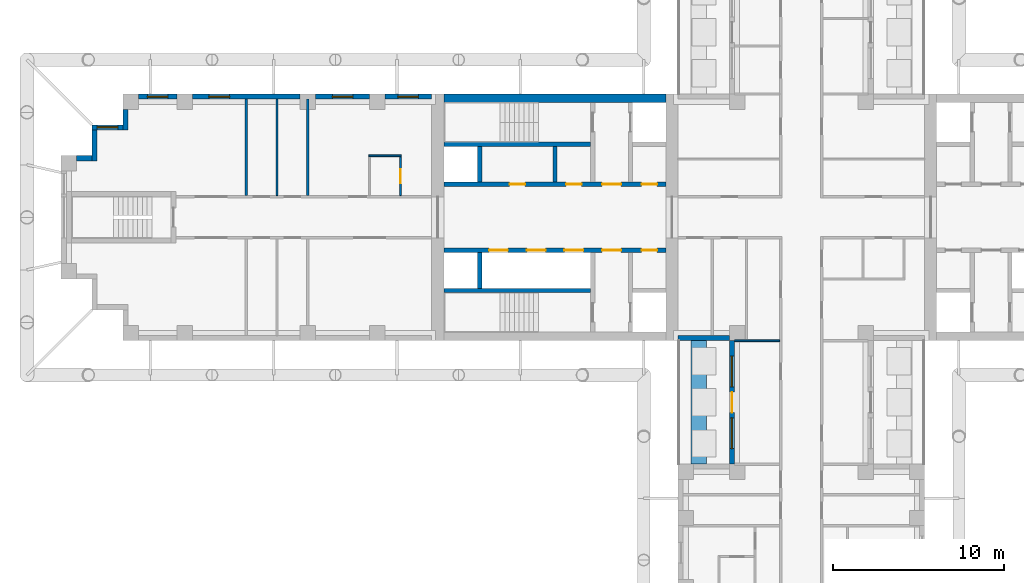
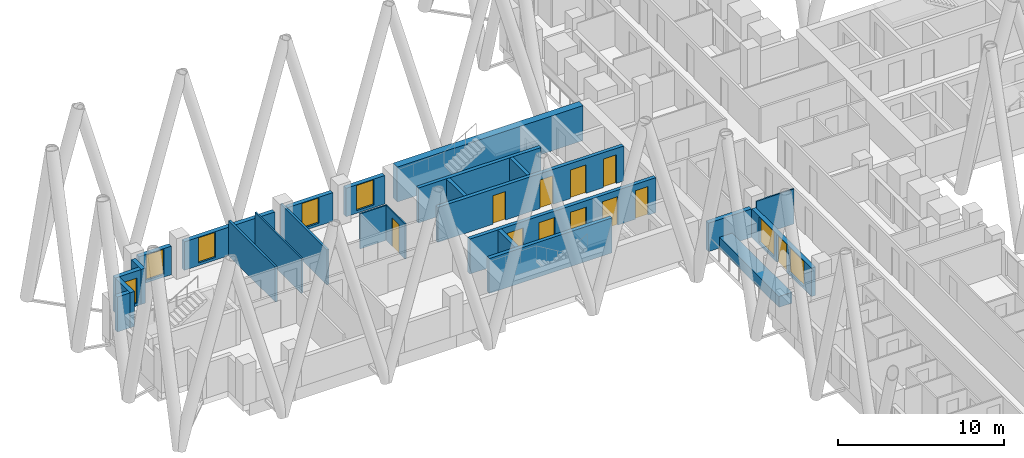
# One storey, part 6 of 14: 25 walls, 11 doors, 7 windows, 18 openings.
"""IFC4 building model written with IfcOpenShell, lengths in metres."""

import ifcopenshell
import ifcopenshell.guid

model = None  # the IFC model being written
_history = None  # IfcOwnerHistory: only IFC2X3 demands one
_inside = {}  # id of a spatial element -> (the spatial element, [elements in it])
_under = {}  # id of a project, library or spatial element -> (it, [spatial elements below it])
_declared = {}  # id of a project -> (the project, [libraries it declares])
_typed = {}  # id of a type object -> (the type object, [elements of that type])
_made_of = {}  # id of a material, layer set ... -> (it, [elements and type objects made of it])


def new_model(schema):
    """Start an empty IFC model of exactly this schema.

    Asked for "IFC4X3", IfcOpenShell would pick the latest addendum, in which some entities
    have other attributes; the version numbers below select the first issue.
    IFC2X3 requires an IfcOwnerHistory on every rooted entity: one is made here for all.
    """
    global model, _history
    if schema == "IFC4X3":
        model = ifcopenshell.file(schema_version=(4, 3, 0, 0))
    else:
        model = ifcopenshell.file(schema=schema)
    _inside.clear()
    _under.clear()
    _declared.clear()
    _typed.clear()
    _made_of.clear()
    _history = None
    if model.schema == "IFC2X3":
        org = make("IfcOrganization", Name="unknown")
        user = make(
            "IfcPersonAndOrganization",
            ThePerson=make("IfcPerson", FamilyName="unknown"),
            TheOrganization=org,
        )
        app = make(
            "IfcApplication",
            ApplicationDeveloper=org,
            Version="unknown",
            ApplicationFullName="unknown",
            ApplicationIdentifier="unknown",
        )
        _history = make(
            "IfcOwnerHistory",
            OwningUser=user,
            OwningApplication=app,
            ChangeAction="ADDED",
            CreationDate=0,
        )
    return model


def make(cls, **values):
    """One entity of the class cls with the attributes given. An attribute that is None is left unset."""
    return model.create_entity(
        cls, **{name: value for name, value in values.items() if value is not None}
    )


def rooted(cls, **values):
    """An entity with a GlobalId (a new one), such as an element, a storey or a relation."""
    return make(cls, GlobalId=ifcopenshell.guid.new(), OwnerHistory=_history, **values)


def si_unit(unit_type, name, prefix=None):
    """IfcSIUnit, for example si_unit("LENGTHUNIT", "METRE", prefix="MILLI")."""
    return make("IfcSIUnit", UnitType=unit_type, Prefix=prefix, Name=name)


def assignment(units):
    """IfcUnitAssignment: the units of a project."""
    return None if units is None else make("IfcUnitAssignment", Units=units)


def point(xyz):
    """IfcCartesianPoint."""
    return None if xyz is None else make("IfcCartesianPoint", Coordinates=xyz)


def direction(xyz):
    """IfcDirection."""
    return None if xyz is None else make("IfcDirection", DirectionRatios=xyz)


def frame(location, z_axis=None, x_axis=None):
    """IfcAxis2Placement3D, a coordinate frame: its origin and axes. An axis left out is left unset."""
    return make(
        "IfcAxis2Placement3D",
        Location=point(location),
        Axis=direction(z_axis),
        RefDirection=direction(x_axis),
    )


def frame_2d(location, x_axis=None):
    """IfcAxis2Placement2D, a coordinate frame in the plane: its origin and x axis."""
    return make(
        "IfcAxis2Placement2D", Location=point(location), RefDirection=direction(x_axis)
    )


def origin():
    """The frame at (0, 0, 0) with its axes left unset."""
    return frame((0.0, 0.0, 0.0))


def place(relative_to, where):
    """IfcLocalPlacement: puts the frame where relative to a parent placement (None: the world)."""
    return make(
        "IfcLocalPlacement", PlacementRelTo=relative_to, RelativePlacement=where
    )


def context(
    kind, dimensions, precision=None, world=None, true_north=None, identifier=None
):
    """IfcGeometricRepresentationContext, for example the 3D "Model" context."""
    return make(
        "IfcGeometricRepresentationContext",
        ContextIdentifier=identifier,
        ContextType=kind,
        CoordinateSpaceDimension=dimensions,
        Precision=precision,
        WorldCoordinateSystem=world,
        TrueNorth=true_north,
    )


def subcontext(parent, identifier, kind, view, scale=None):
    """IfcGeometricRepresentationSubContext, for example "Body" below "Model"."""
    return make(
        "IfcGeometricRepresentationSubContext",
        ContextIdentifier=identifier,
        ContextType=kind,
        ParentContext=parent,
        TargetScale=scale,
        TargetView=view,
    )


def project(units=None, contexts=None):
    """IfcProject with its units and contexts."""
    return rooted(
        "IfcProject",
        Name="project",
        RepresentationContexts=contexts,
        UnitsInContext=assignment(units),
    )


def spatial(cls, under=None, at=None, **own):
    """A site, building, storey or space (cls), placed at a placement, below another one or the project."""
    s = rooted(cls, ObjectPlacement=at, **own)
    if under is not None:
        _under.setdefault(under.id(), (under, []))[1].append(s)
    return s


def profile(cls, at=None, kind="AREA", **sizes):
    """A parametric profile (cls). Its sizes go by their IFC names, for example OverallWidth=200.0."""
    return make(cls, ProfileType=kind, Position=at, **sizes)


def rectangle(**sizes):
    """IfcRectangleProfileDef."""
    return profile("IfcRectangleProfileDef", **sizes)


def extrude(swept, where, along, depth):
    """IfcExtrudedAreaSolid: the profile swept, set in the frame where, extruded along a direction by depth."""
    return make(
        "IfcExtrudedAreaSolid",
        SweptArea=swept,
        Position=where,
        ExtrudedDirection=direction(along),
        Depth=depth,
    )


def shape(context_of_items, identifier, shape_type, items):
    """IfcShapeRepresentation: the items that make up one representation, for example the "Body"."""
    return make(
        "IfcShapeRepresentation",
        ContextOfItems=context_of_items,
        RepresentationIdentifier=identifier,
        RepresentationType=shape_type,
        Items=items,
    )


def material(Name=None, Category=None):
    """IfcMaterial."""
    return make("IfcMaterial", Name=Name, Category=Category)


def layer(
    of_material, thickness, ventilated=None, Name=None, Category=None, Priority=None
):
    """IfcMaterialLayer: one layer of a wall or slab, of a material (None: an air gap)."""
    return make(
        "IfcMaterialLayer",
        Material=of_material,
        LayerThickness=thickness,
        IsVentilated=ventilated,
        Name=Name,
        Category=Category,
        Priority=Priority,
    )


def layer_set(layers, Name=None):
    """IfcMaterialLayerSet."""
    return make("IfcMaterialLayerSet", MaterialLayers=layers, LayerSetName=Name)


def made_of(thing, what):
    """Note that an element or type object is made of a material, layer set ...; save() writes the relation."""
    if what is not None:
        _made_of.setdefault(what.id(), (what, []))[1].append(thing)
    return thing


def type_object(cls, material=None, **own):
    """A type object (cls), such as IfcWallType, which elements share."""
    return made_of(rooted(cls, **own), material)


def element(
    cls,
    number,
    at=None,
    inside=None,
    cuts=None,
    type_object=None,
    material=None,
    context=None,
    identifier="Body",
    shape_type=None,
    held_by="IfcProductDefinitionShape",
    body=None,
    shapes=None,
    **own,
):
    """One element of the class cls, such as IfcWall. Its Tag is "e" and its number.

    at: its placement. inside: the storey or other place that contains it. cuts: it is an
    opening in that element (IfcRelVoidsElement). A single representation is given by context,
    identifier, shape_type and body (its items); several are given by shapes. held_by: the class
    of the entity that holds the representations. save() writes the other relations.
    """
    e = rooted(cls, Tag="e%d" % number, ObjectPlacement=at, **own)
    if body is not None:
        shapes = [shape(context, identifier, shape_type, body)]
    if shapes is not None:
        e.Representation = make(held_by, Representations=shapes)
    if inside is not None:
        _inside.setdefault(inside.id(), (inside, []))[1].append(e)
    if cuts is not None:
        rooted(
            "IfcRelVoidsElement", RelatingBuildingElement=cuts, RelatedOpeningElement=e
        )
    if type_object is not None:
        _typed.setdefault(type_object.id(), (type_object, []))[1].append(e)
    return made_of(e, material)


def fill(opening, filler):
    """IfcRelFillsElement: the door or window that sits in an opening."""
    return rooted(
        "IfcRelFillsElement",
        RelatingOpeningElement=opening,
        RelatedBuildingElement=filler,
    )


def aggregate(whole, parts):
    """IfcRelAggregates: a whole, such as a stair, and the parts it consists of."""
    return rooted("IfcRelAggregates", RelatingObject=whole, RelatedObjects=parts)


def save(model, path):
    """Write the relations noted so far, then the file.

    IfcRelAggregates (storeys below a building ...), IfcRelContainedInSpatialStructure (elements
    in a storey), IfcRelDefinesByType, IfcRelAssociatesMaterial and IfcRelDeclares: one each for
    every whole, place, type object, material and project.
    """
    for whole, parts in _under.values():
        aggregate(whole, parts)
    for where, things in _inside.values():
        rooted(
            "IfcRelContainedInSpatialStructure",
            RelatedElements=things,
            RelatingStructure=where,
        )
    for kind, things in _typed.values():
        rooted("IfcRelDefinesByType", RelatedObjects=things, RelatingType=kind)
    for what, things in _made_of.values():
        rooted("IfcRelAssociatesMaterial", RelatedObjects=things, RelatingMaterial=what)
    for by, libraries in _declared.values():
        rooted("IfcRelDeclares", RelatingContext=by, RelatedDefinitions=libraries)
    model.write(path)


model = new_model("IFC4")

# Units and contexts
model_context = context("Model", 3, precision=1e-05, world=origin(), true_north=direction((0.0, 1.0)))
body_context = subcontext(model_context, "Body", "Model", "MODEL_VIEW")
ifc_project = project(units=[si_unit("LENGTHUNIT", "METRE"), si_unit("AREAUNIT", "SQUARE_METRE"), si_unit("VOLUMEUNIT", "CUBIC_METRE"), si_unit("PLANEANGLEUNIT", "RADIAN"), si_unit("MASSUNIT", "GRAM", prefix="KILO")], contexts=[model_context])

# Site, building, storey
site_placement = place(None, origin())
site = spatial("IfcSite", under=ifc_project, at=site_placement, CompositionType="ELEMENT")
building_placement = place(site_placement, origin())
building = spatial("IfcBuilding", under=site, at=building_placement, Name="Fustian Cross Tower", CompositionType="ELEMENT")
storey_placement = place(building_placement, frame((0.0, 0.0, 102.89990234375)))
storey = spatial("IfcBuildingStorey", under=building, at=storey_placement, Name="L32", CompositionType="ELEMENT", Elevation=102.89990234375)

# Walls
ifc_material_1 = material(Name="Plasterboard on steel stud", Category="steel")
ifc_layer_1 = layer(ifc_material_1, 0.14990234375)
ifc_layer_set_1 = layer_set([ifc_layer_1], Name="Plasterboard on steel stud")
wall_type_1 = type_object("IfcWallType", Name="COMPARTMENT WALL 150 EI 60", PredefinedType="PARTITIONING", material=ifc_layer_set_1)
for number, where, z_axis, x_axis, name in (
    (1, (-32.39990234375, 1.27490234375, 0.0), (0.0, 0.0, 1.0), (0.0, 1.0, 0.0), "Partition 4"),
    (2, (-28.800048828125, 1.27490234375, 0.0), (0.0, 0.0, 1.0), (0.0, 1.0, 0.0), "Partition 8"),
):
    element("IfcWall", number, at=place(storey_placement, frame(where, z_axis=z_axis, x_axis=x_axis)), inside=storey, type_object=wall_type_1, Name=name, PredefinedType="PARTITIONING", context=body_context, shape_type="SweptSolid", body=[
        extrude(rectangle(XDim=5.625, YDim=0.14990234375, at=frame_2d((2.8125, 0.0))), origin(), (0.0, 0.0, 1.0), 2.5751953125),
    ])
ifc_material_2 = material(Name="Concrete C70/85", Category="concrete")
ifc_layer_2 = layer(ifc_material_2, 0.5)
ifc_layer_set_2 = layer_set([ifc_layer_2], Name="Concrete C70/85")
wall_type_2 = type_object("IfcWallType", Name="CORE FACADE WALL 500 C70/85", PredefinedType="SHEAR", material=ifc_layer_set_2)
wall_1_placement = place(storey_placement, frame((-7.89990234375, 6.949951171875, 0.0), z_axis=(0.0, 0.0, 1.0), x_axis=(-1.0, 0.0, 0.0)))
element("IfcWall", 3, at=wall_1_placement, inside=storey, type_object=wall_type_2, Name="Core facade wall", PredefinedType="SHEAR", context=body_context, shape_type="SweptSolid", body=[
    extrude(rectangle(XDim=12.9501953125, YDim=0.5, at=frame_2d((6.47509765625, 0.0))), origin(), (0.0, 0.0, 1.0), 2.5751953125),
])

# Wall, openings, doors
ifc_material_3 = material(Name="Concrete C50/60", Category="concrete")
ifc_layer_3 = layer(ifc_material_3, 0.25)
ifc_layer_set_3 = layer_set([ifc_layer_3], Name="Concrete C50/60")
wall_type_3 = type_object("IfcWallType", Name="CORE LOBBY WALL 250 C50/60", PredefinedType="SHEAR", material=ifc_layer_set_3)
wall_2_placement = place(storey_placement, frame((-7.89990234375, 1.925048828125, 0.0), z_axis=(0.0, 0.0, 1.0), x_axis=(-1.0, 0.0, 0.0)))
wall_2 = element("IfcWall", 4, at=wall_2_placement, inside=storey, type_object=wall_type_3, Name="Core lobby wall", PredefinedType="SHEAR", context=body_context, shape_type="SweptSolid", body=[
    extrude(rectangle(XDim=12.9501953125, YDim=0.25, at=frame_2d((6.47509765625, 0.0))), origin(), (0.0, 0.0, 1.0), 2.5751953125),
])
opening_1_placement = place(wall_2_placement, frame((0.52490234375, 0.0, 0.0)))
opening_1 = element("IfcOpeningElement", 5, at=opening_1_placement, cuts=wall_2, Name="Opening CD-10-23", PredefinedType="OPENING", context=body_context, shape_type="SweptSolid", body=[
    extrude(rectangle(XDim=0.89990234375, YDim=2.10009765625, at=frame_2d((0.449951171875, 1.050048828125))), frame((0.0, 0.135009765625, 0.0), z_axis=(0.0, -1.0, 0.0), x_axis=(1.0, 0.0, 0.0)), (0.0, 0.0, 1.0), 0.27001953125),
])
opening_2_placement = place(wall_2_placement, frame((2.625, 0.0, 0.0)))
opening_2 = element("IfcOpeningElement", 6, at=opening_2_placement, cuts=wall_2, Name="Opening CD-10-25", PredefinedType="OPENING", context=body_context, shape_type="SweptSolid", body=[
    extrude(rectangle(XDim=1.10009765625, YDim=2.10009765625, at=frame_2d((0.550048828125, 1.050048828125))), frame((0.0, 0.135009765625, 0.0), z_axis=(0.0, -1.0, 0.0), x_axis=(1.0, 0.0, 0.0)), (0.0, 0.0, 1.0), 0.27001953125),
])
opening_3_placement = place(wall_2_placement, frame((4.925048828125, 0.0, 0.0)))
opening_3 = element("IfcOpeningElement", 7, at=opening_3_placement, cuts=wall_2, Name="Opening CD-10-29", PredefinedType="OPENING", context=body_context, shape_type="SweptSolid", body=[
    extrude(rectangle(XDim=0.89990234375, YDim=2.10009765625, at=frame_2d((0.449951171875, 1.050048828125))), frame((0.0, 0.135009765625, 0.0), z_axis=(0.0, -1.0, 0.0), x_axis=(1.0, 0.0, 0.0)), (0.0, 0.0, 1.0), 0.27001953125),
])
opening_4_placement = place(wall_2_placement, frame((8.22509765625, 0.0, 0.0)))
opening_4 = element("IfcOpeningElement", 8, at=opening_4_placement, cuts=wall_2, Name="Opening CD-10-30", PredefinedType="OPENING", context=body_context, shape_type="SweptSolid", body=[
    extrude(rectangle(XDim=0.89990234375, YDim=2.10009765625, at=frame_2d((0.449951171875, 1.050048828125))), frame((0.0, 0.135009765625, 0.0), z_axis=(0.0, -1.0, 0.0), x_axis=(1.0, 0.0, 0.0)), (0.0, 0.0, 1.0), 0.27001953125),
])
ifc_material_4 = material(Name="Steel", Category="steel")
door_type_1 = type_object("IfcDoorType", Name="FIRE DOOR FD30S 900X2100", OperationType="SINGLE_SWING_LEFT", PredefinedType="DOOR", material=ifc_material_4)
door_1_placement = place(opening_3_placement, frame((0.89990234375, 0.0, 0.0), z_axis=(0.0, 0.0, 1.0), x_axis=(-1.0, 0.0, 0.0)))
door_1 = element("IfcDoor", 9, at=door_1_placement, inside=storey, type_object=door_type_1, Name="Core door CD-10-29", OperationType="SINGLE_SWING_RIGHT", OverallHeight=2.10009765625, OverallWidth=0.89990234375, PredefinedType="DOOR", context=body_context, shape_type="SweptSolid", body=[
    extrude(rectangle(XDim=0.89990234375, YDim=2.10009765625, at=frame_2d((0.449951171875, 1.050048828125))), frame((0.0, 0.02490234375, 0.0), z_axis=(0.0, -1.0, 0.0), x_axis=(1.0, 0.0, 0.0)), (0.0, 0.0, 1.0), 0.050048828125),
])
fill(opening_3, door_1)
door_2_placement = place(opening_4_placement, frame((0.89990234375, 0.0, 0.0), z_axis=(0.0, 0.0, 1.0), x_axis=(-1.0, 0.0, 0.0)))
door_2 = element("IfcDoor", 10, at=door_2_placement, inside=storey, type_object=door_type_1, Name="Core door CD-10-30", OperationType="SINGLE_SWING_LEFT", OverallHeight=2.10009765625, OverallWidth=0.89990234375, PredefinedType="DOOR", context=body_context, shape_type="SweptSolid", body=[
    extrude(rectangle(XDim=0.89990234375, YDim=2.10009765625, at=frame_2d((0.449951171875, 1.050048828125))), frame((0.0, 0.02490234375, 0.0), z_axis=(0.0, -1.0, 0.0), x_axis=(1.0, 0.0, 0.0)), (0.0, 0.0, 1.0), 0.050048828125),
])
fill(opening_4, door_2)
ifc_material_5 = material(Name="Steel", Category="steel")
door_type_2 = type_object("IfcDoorType", Name="FIRE DOOR FD60S 1100X2100", OperationType="SINGLE_SWING_LEFT", PredefinedType="DOOR", material=ifc_material_5)
door_3_placement = place(opening_2_placement, frame((1.10009765625, 0.0, 0.0), z_axis=(0.0, 0.0, 1.0), x_axis=(-1.0, 0.0, 0.0)))
door_3 = element("IfcDoor", 11, at=door_3_placement, inside=storey, type_object=door_type_2, Name="Core door CD-10-25", OperationType="SINGLE_SWING_RIGHT", OverallHeight=2.10009765625, OverallWidth=1.10009765625, PredefinedType="DOOR", context=body_context, shape_type="SweptSolid", body=[
    extrude(rectangle(XDim=1.10009765625, YDim=2.10009765625, at=frame_2d((0.550048828125, 1.050048828125))), frame((0.0, 0.02490234375, 0.0), z_axis=(0.0, -1.0, 0.0), x_axis=(1.0, 0.0, 0.0)), (0.0, 0.0, 1.0), 0.050048828125),
])
fill(opening_2, door_3)
ifc_material_6 = material(Name="Steel", Category="steel")
door_type_3 = type_object("IfcDoorType", Name="FIRE DOOR FD60S 900X2100", OperationType="SINGLE_SWING_LEFT", PredefinedType="DOOR", material=ifc_material_6)
door_4_placement = place(opening_1_placement, frame((0.89990234375, 0.0, 0.0), z_axis=(0.0, 0.0, 1.0), x_axis=(-1.0, 0.0, 0.0)))
door_4 = element("IfcDoor", 12, at=door_4_placement, inside=storey, type_object=door_type_3, Name="Core door CD-10-23", OperationType="SINGLE_SWING_RIGHT", OverallHeight=2.10009765625, OverallWidth=0.89990234375, PredefinedType="DOOR", context=body_context, shape_type="SweptSolid", body=[
    extrude(rectangle(XDim=0.89990234375, YDim=2.10009765625, at=frame_2d((0.449951171875, 1.050048828125))), frame((0.0, 0.02490234375, 0.0), z_axis=(0.0, -1.0, 0.0), x_axis=(1.0, 0.0, 0.0)), (0.0, 0.0, 1.0), 0.050048828125),
])
fill(opening_1, door_4)

wall_3_placement = place(storey_placement, frame((-7.89990234375, -1.925048828125, 0.0), z_axis=(0.0, 0.0, 1.0), x_axis=(-1.0, 0.0, 0.0)))
wall_3 = element("IfcWall", 13, at=wall_3_placement, inside=storey, type_object=wall_type_3, Name="Core lobby wall", PredefinedType="SHEAR", context=body_context, shape_type="SweptSolid", body=[
    extrude(rectangle(XDim=12.9501953125, YDim=0.25, at=frame_2d((6.47509765625, 0.0))), origin(), (0.0, 0.0, 1.0), 2.5751953125),
])
opening_5_placement = place(wall_3_placement, frame((4.824951171875, 0.0, 0.0)))
opening_5 = element("IfcOpeningElement", 14, at=opening_5_placement, cuts=wall_3, Name="Opening LD", PredefinedType="OPENING", context=body_context, shape_type="SweptSolid", body=[
    extrude(rectangle(XDim=1.10009765625, YDim=2.10009765625, at=frame_2d((0.550048828125, 1.050048828125))), frame((0.0, 0.135009765625, 0.0), z_axis=(0.0, -1.0, 0.0), x_axis=(1.0, 0.0, 0.0)), (0.0, 0.0, 1.0), 0.27001953125),
])
opening_6_placement = place(wall_3_placement, frame((7.02490234375, 0.0, 0.0)))
opening_6 = element("IfcOpeningElement", 15, at=opening_6_placement, cuts=wall_3, Name="Opening LD", PredefinedType="OPENING", context=body_context, shape_type="SweptSolid", body=[
    extrude(rectangle(XDim=1.10009765625, YDim=2.10009765625, at=frame_2d((0.550048828125, 1.050048828125))), frame((0.0, 0.135009765625, 0.0), z_axis=(0.0, -1.0, 0.0), x_axis=(1.0, 0.0, 0.0)), (0.0, 0.0, 1.0), 0.27001953125),
])
opening_7_placement = place(wall_3_placement, frame((9.22509765625, 0.0, 0.0)))
opening_7 = element("IfcOpeningElement", 16, at=opening_7_placement, cuts=wall_3, Name="Opening LD", PredefinedType="OPENING", context=body_context, shape_type="SweptSolid", body=[
    extrude(rectangle(XDim=1.10009765625, YDim=2.10009765625, at=frame_2d((0.550048828125, 1.050048828125))), frame((0.0, 0.135009765625, 0.0), z_axis=(0.0, -1.0, 0.0), x_axis=(1.0, 0.0, 0.0)), (0.0, 0.0, 1.0), 0.27001953125),
])
opening_8_placement = place(wall_3_placement, frame((0.52490234375, 0.0, 0.0)))
opening_8 = element("IfcOpeningElement", 17, at=opening_8_placement, cuts=wall_3, Name="Opening CD-10-24", PredefinedType="OPENING", context=body_context, shape_type="SweptSolid", body=[
    extrude(rectangle(XDim=0.89990234375, YDim=2.10009765625, at=frame_2d((0.449951171875, 1.050048828125))), frame((0.0, 0.135009765625, 0.0), z_axis=(0.0, -1.0, 0.0), x_axis=(1.0, 0.0, 0.0)), (0.0, 0.0, 1.0), 0.27001953125),
])
opening_9_placement = place(wall_3_placement, frame((2.625, 0.0, 0.0)))
opening_9 = element("IfcOpeningElement", 18, at=opening_9_placement, cuts=wall_3, Name="Opening CD-10-26", PredefinedType="OPENING", context=body_context, shape_type="SweptSolid", body=[
    extrude(rectangle(XDim=1.10009765625, YDim=2.10009765625, at=frame_2d((0.550048828125, 1.050048828125))), frame((0.0, 0.135009765625, 0.0), z_axis=(0.0, -1.0, 0.0), x_axis=(1.0, 0.0, 0.0)), (0.0, 0.0, 1.0), 0.27001953125),
])
ifc_material_7 = material(Name="Steel", Category="steel")
door_type_4 = type_object("IfcDoorType", Name="FIRE DOOR FD30S 1100X2100", OperationType="SINGLE_SWING_LEFT", PredefinedType="DOOR", material=ifc_material_7)
door_5_placement = place(opening_9_placement, frame((1.10009765625, 0.0, 0.0), z_axis=(0.0, 0.0, 1.0), x_axis=(-1.0, 0.0, 0.0)))
door_5 = element("IfcDoor", 19, at=door_5_placement, inside=storey, type_object=door_type_4, Name="Core door CD-10-26", OperationType="SINGLE_SWING_RIGHT", OverallHeight=2.10009765625, OverallWidth=1.10009765625, PredefinedType="DOOR", context=body_context, shape_type="SweptSolid", body=[
    extrude(rectangle(XDim=1.10009765625, YDim=2.10009765625, at=frame_2d((0.550048828125, 1.050048828125))), frame((0.0, 0.02490234375, 0.0), z_axis=(0.0, -1.0, 0.0), x_axis=(1.0, 0.0, 0.0)), (0.0, 0.0, 1.0), 0.050048828125),
])
fill(opening_9, door_5)
door_6_placement = place(opening_8_placement, origin())
door_6 = element("IfcDoor", 20, at=door_6_placement, inside=storey, type_object=door_type_1, Name="Core door CD-10-24", OperationType="SINGLE_SWING_LEFT", OverallHeight=2.10009765625, OverallWidth=0.89990234375, PredefinedType="DOOR", context=body_context, shape_type="SweptSolid", body=[
    extrude(rectangle(XDim=0.89990234375, YDim=2.10009765625, at=frame_2d((0.449951171875, 1.050048828125))), frame((0.0, 0.02490234375, 0.0), z_axis=(0.0, -1.0, 0.0), x_axis=(1.0, 0.0, 0.0)), (0.0, 0.0, 1.0), 0.050048828125),
])
fill(opening_8, door_6)
ifc_material_8 = material(Name="Stainless steel", Category="steel")
door_type_5 = type_object("IfcDoorType", Name="LIFT LANDING DOOR 1100X2100", OperationType="SLIDING_TO_LEFT", PredefinedType="DOOR", material=ifc_material_8)
door_7_placement = place(opening_5_placement, origin())
door_7 = element("IfcDoor", 21, at=door_7_placement, inside=storey, type_object=door_type_5, Name="Landing door LR1W", OperationType="SLIDING_TO_LEFT", OverallHeight=2.10009765625, OverallWidth=1.10009765625, PredefinedType="DOOR", context=body_context, shape_type="SweptSolid", body=[
    extrude(rectangle(XDim=1.10009765625, YDim=2.10009765625, at=frame_2d((0.550048828125, 1.050048828125))), frame((0.0, 0.02490234375, 0.0), z_axis=(0.0, -1.0, 0.0), x_axis=(1.0, 0.0, 0.0)), (0.0, 0.0, 1.0), 0.050048828125),
])
fill(opening_5, door_7)
door_8_placement = place(opening_6_placement, origin())
door_8 = element("IfcDoor", 22, at=door_8_placement, inside=storey, type_object=door_type_5, Name="Landing door LR2W", OperationType="SLIDING_TO_LEFT", OverallHeight=2.10009765625, OverallWidth=1.10009765625, PredefinedType="DOOR", context=body_context, shape_type="SweptSolid", body=[
    extrude(rectangle(XDim=1.10009765625, YDim=2.10009765625, at=frame_2d((0.550048828125, 1.050048828125))), frame((0.0, 0.02490234375, 0.0), z_axis=(0.0, -1.0, 0.0), x_axis=(1.0, 0.0, 0.0)), (0.0, 0.0, 1.0), 0.050048828125),
])
fill(opening_6, door_8)
door_9_placement = place(opening_7_placement, origin())
door_9 = element("IfcDoor", 23, at=door_9_placement, inside=storey, type_object=door_type_5, Name="Landing door LR3W", OperationType="SLIDING_TO_LEFT", OverallHeight=2.10009765625, OverallWidth=1.10009765625, PredefinedType="DOOR", context=body_context, shape_type="SweptSolid", body=[
    extrude(rectangle(XDim=1.10009765625, YDim=2.10009765625, at=frame_2d((0.550048828125, 1.050048828125))), frame((0.0, 0.02490234375, 0.0), z_axis=(0.0, -1.0, 0.0), x_axis=(1.0, 0.0, 0.0)), (0.0, 0.0, 1.0), 0.050048828125),
])
fill(opening_7, door_9)

# Walls
ifc_material_9 = material(Name="Concrete C50/60", Category="concrete")
ifc_layer_4 = layer(ifc_material_9, 0.25)
ifc_layer_set_4 = layer_set([ifc_layer_4], Name="Concrete C50/60")
wall_type_4 = type_object("IfcWallType", Name="CORE SHAFT WALL 250 C50/60", PredefinedType="SHEAR", material=ifc_layer_set_4)
for number, where, z_axis, x_axis, name in (
    (24, (-12.300048828125, 4.27490234375, 0.0), (0.0, 0.0, 1.0), (-1.0, 0.0, 0.0), "Core shaft wall"),
    (25, (-12.300048828125, -4.27490234375, 0.0), (0.0, 0.0, 1.0), (-1.0, 0.0, 0.0), "Core shaft wall"),
):
    element("IfcWall", number, at=place(storey_placement, frame(where, z_axis=z_axis, x_axis=x_axis)), inside=storey, type_object=wall_type_4, Name=name, PredefinedType="SHEAR", context=body_context, shape_type="SweptSolid", body=[
        extrude(rectangle(XDim=8.550048828125, YDim=0.25, at=frame_2d((4.27490234375, 0.0))), origin(), (0.0, 0.0, 1.0), 2.5751953125),
    ])
ifc_material_10 = material(Name="Plasterboard on steel stud", Category="steel")
ifc_layer_5 = layer(ifc_material_10, 0.10009765625)
ifc_layer_set_5 = layer_set([ifc_layer_5], Name="Plasterboard on steel stud")
wall_type_5 = type_object("IfcWallType", Name="PARTITION 100 STUD", PredefinedType="PARTITIONING", material=ifc_layer_set_5)
wall_4_placement = place(storey_placement, frame((-30.60009765625, 1.27490234375, 0.0), z_axis=(0.0, 0.0, 1.0), x_axis=(0.0, 1.0, 0.0)))
element("IfcWall", 26, at=wall_4_placement, inside=storey, type_object=wall_type_5, Name="Partition 6", PredefinedType="PARTITIONING", context=body_context, shape_type="SweptSolid", body=[
    extrude(rectangle(XDim=5.625, YDim=0.10009765625, at=frame_2d((2.8125, 0.0))), origin(), (0.0, 0.0, 1.0), 2.5751953125),
])
wall_5_placement = place(storey_placement, frame((-25.25, 3.60009765625, 0.0), z_axis=(0.0, 0.0, 1.0), x_axis=(1.0, 0.0, 0.0)))
element("IfcWall", 27, at=wall_5_placement, inside=storey, type_object=wall_type_5, Name="Partition 10", PredefinedType="PARTITIONING", context=body_context, shape_type="SweptSolid", body=[
    extrude(rectangle(XDim=1.89990234375, YDim=0.10009765625, at=frame_2d((0.949951171875, 0.0))), origin(), (0.0, 0.0, 1.0), 2.5751953125),
])

# Wall, opening, door
wall_6_placement = place(storey_placement, frame((-23.39990234375, 1.27490234375, 0.0), z_axis=(0.0, 0.0, 1.0), x_axis=(0.0, 1.0, 0.0)))
wall_6 = element("IfcWall", 28, at=wall_6_placement, inside=storey, type_object=wall_type_5, Name="Partition 11", PredefinedType="PARTITIONING", context=body_context, shape_type="SweptSolid", body=[
    extrude(rectangle(XDim=2.275146484375, YDim=0.10009765625, at=frame_2d((1.1376953125, 0.0))), origin(), (0.0, 0.0, 1.0), 2.5751953125),
])
opening_10_placement = place(wall_6_placement, frame((0.72509765625, 0.0, 0.0)))
opening_10 = element("IfcOpeningElement", 29, at=opening_10_placement, cuts=wall_6, Name="Opening D15032", PredefinedType="OPENING", context=body_context, shape_type="SweptSolid", body=[
    extrude(rectangle(XDim=0.800048828125, YDim=2.10009765625, at=frame_2d((0.39990234375, 1.050048828125))), frame((0.0, 0.06005859375, 0.0), z_axis=(0.0, -1.0, 0.0), x_axis=(1.0, 0.0, 0.0)), (0.0, 0.0, 1.0), 0.1201171875),
])
ifc_material_11 = material(Name="Painted timber", Category="wood")
door_type_6 = type_object("IfcDoorType", Name="SWING DOOR 800", OperationType="SINGLE_SWING_LEFT", PredefinedType="DOOR", material=ifc_material_11)
door_10_placement = place(opening_10_placement, origin())
door_10 = element("IfcDoor", 30, at=door_10_placement, inside=storey, type_object=door_type_6, Name="Door D15032", OperationType="SINGLE_SWING_LEFT", OverallHeight=2.10009765625, OverallWidth=0.800048828125, PredefinedType="DOOR", context=body_context, shape_type="SweptSolid", body=[
    extrude(rectangle(XDim=0.800048828125, YDim=2.10009765625, at=frame_2d((0.39990234375, 1.050048828125))), frame((0.0, 0.02490234375, 0.0), z_axis=(0.0, -1.0, 0.0), x_axis=(1.0, 0.0, 0.0)), (0.0, 0.0, 1.0), 0.050048828125),
])
fill(opening_10, door_10)

# Walls
wall_7_placement = place(storey_placement, frame((-3.89990234375, -7.199951171875, 0.0), z_axis=(0.0, 0.0, 1.0), x_axis=(1.0, 0.0, 0.0)))
element("IfcWall", 31, at=wall_7_placement, inside=storey, type_object=wall_type_5, Name="Partition 32", PredefinedType="PARTITIONING", context=body_context, shape_type="SweptSolid", body=[
    extrude(rectangle(XDim=2.625, YDim=0.10009765625, at=frame_2d((1.3125, 0.0))), origin(), (0.0, 0.0, 1.0), 2.5751953125),
])
ifc_material_12 = material(Name="Concrete C40/50", Category="concrete")
ifc_layer_6 = layer(ifc_material_12, 0.89990234375)
ifc_layer_set_6 = layer_set([ifc_layer_6], Name="Concrete C40/50")
wall_type_6 = type_object("IfcWallType", Name="PK1 PLANTER 900", PredefinedType="PARAPET", material=ifc_layer_set_6)
wall_8_placement = place(storey_placement, frame((-6.0, -14.39990234375, 0.0), z_axis=(0.0, 0.0, 1.0), x_axis=(0.0, 1.0, 0.0)))
element("IfcWall", 32, at=wall_8_placement, inside=storey, type_object=wall_type_6, Name="PLANTER", PredefinedType="PARAPET", context=body_context, shape_type="SweptSolid", body=[
    extrude(rectangle(XDim=7.199951171875, YDim=0.89990234375, at=frame_2d((3.60009765625, 0.0))), origin(), (0.0, 0.0, 1.0), 0.800048828125),
])
ifc_material_13 = material(Name="Concrete C40/50", Category="concrete")
ifc_layer_7 = layer(ifc_material_13, 0.25)
ifc_layer_set_7 = layer_set([ifc_layer_7], Name="Concrete C40/50")
wall_type_7 = type_object("IfcWallType", Name="SHAFT PARTITION WALL 250 C40/50", PredefinedType="PARTITIONING", material=ifc_layer_set_7)
for number, where, z_axis, x_axis, name in (
    (33, (-14.375, 2.050048828125, 0.0), (0.0, 0.0, 1.0), (0.0, 1.0, 0.0), "Core shaft wall"),
    (34, (-18.77490234375, 2.050048828125, 0.0), (0.0, 0.0, 1.0), (0.0, 1.0, 0.0), "Core shaft wall"),
    (35, (-18.77490234375, -2.050048828125, 0.0), (0.0, 0.0, 1.0), (0.0, -1.0, 0.0), "Core shaft wall"),
):
    element("IfcWall", number, at=place(storey_placement, frame(where, z_axis=z_axis, x_axis=x_axis)), inside=storey, type_object=wall_type_7, Name=name, PredefinedType="PARTITIONING", context=body_context, shape_type="SweptSolid", body=[
        extrude(rectangle(XDim=2.099853515625, YDim=0.25, at=frame_2d((1.0498046875, 0.0))), origin(), (0.0, 0.0, 1.0), 2.5751953125),
    ])

# Wall, opening, window
ifc_material_14 = material(Name="Dark aluminium cladding on insulated backing wall", Category="aluminium")
ifc_layer_8 = layer(ifc_material_14, 0.300048828125)
ifc_layer_set_8 = layer_set([ifc_layer_8], Name="Dark aluminium cladding on insulated backing wall")
wall_type_8 = type_object("IfcWallType", Name="XW1 EXTERNAL WALL 300", PredefinedType="SOLIDWALL", material=ifc_layer_set_8)
wall_9_placement = place(storey_placement, frame((-21.60009765625, 7.050048828125, 0.0), z_axis=(0.0, 0.0, 1.0), x_axis=(-1.0, 0.0, 0.0)))
wall_9 = element("IfcWall", 36, at=wall_9_placement, inside=storey, type_object=wall_type_8, Name="External wall", PredefinedType="SOLIDWALL", context=body_context, shape_type="SweptSolid", body=[
    extrude(rectangle(XDim=2.699951171875, YDim=0.300048828125, at=frame_2d((1.35009765625, 0.0))), origin(), (0.0, 0.0, 1.0), 2.10009765625),
])
opening_11_placement = place(wall_9_placement, frame((0.75, 0.0, 0.199951171875)))
opening_11 = element("IfcOpeningElement", 37, at=opening_11_placement, cuts=wall_9, Name="Opening WN3", PredefinedType="OPENING", context=body_context, shape_type="SweptSolid", body=[
    extrude(rectangle(XDim=1.199951171875, YDim=1.85009765625, at=frame_2d((0.60009765625, 0.925048828125))), frame((0.0, 0.159912109375, 0.0), z_axis=(0.0, -1.0, 0.0), x_axis=(1.0, 0.0, 0.0)), (0.0, 0.0, 1.0), 0.320068359375),
])
ifc_material_15 = material(Name="Dark anodised aluminium and double glazing", Category="aluminium")
window_type_1 = type_object("IfcWindowType", Name="WN3 WINDOW 1200X1850", PartitioningType="SINGLE_PANEL", PredefinedType="WINDOW", material=ifc_material_15)
window_1_placement = place(opening_11_placement, origin())
window_1 = element("IfcWindow", 38, at=window_1_placement, inside=storey, type_object=window_type_1, Name="Window", OverallHeight=1.85009765625, OverallWidth=1.199951171875, PartitioningType="SINGLE_PANEL", PredefinedType="WINDOW", context=body_context, shape_type="SweptSolid", body=[
    extrude(rectangle(XDim=1.199951171875, YDim=1.85009765625, at=frame_2d((0.60009765625, 0.925048828125))), frame((0.0, 0.030029296875, 0.0), z_axis=(0.0, -1.0, 0.0), x_axis=(1.0, 0.0, 0.0)), (0.0, 0.0, 1.0), 0.06005859375),
])
fill(opening_11, window_1)

wall_10_placement = place(storey_placement, frame((-25.199951171875, 7.050048828125, 0.0), z_axis=(0.0, 0.0, 1.0), x_axis=(-1.0, 0.0, 0.0)))
wall_10 = element("IfcWall", 39, at=wall_10_placement, inside=storey, type_object=wall_type_8, Name="External wall", PredefinedType="SOLIDWALL", context=body_context, shape_type="SweptSolid", body=[
    extrude(rectangle(XDim=3.150146484375, YDim=0.300048828125, at=frame_2d((1.5751953125, 0.0))), origin(), (0.0, 0.0, 1.0), 2.10009765625),
])
opening_12_placement = place(wall_10_placement, frame((0.97509765625, 0.0, 0.199951171875)))
opening_12 = element("IfcOpeningElement", 40, at=opening_12_placement, cuts=wall_10, Name="Opening WN3", PredefinedType="OPENING", context=body_context, shape_type="SweptSolid", body=[
    extrude(rectangle(XDim=1.199951171875, YDim=1.85009765625, at=frame_2d((0.60009765625, 0.925048828125))), frame((0.0, 0.159912109375, 0.0), z_axis=(0.0, -1.0, 0.0), x_axis=(1.0, 0.0, 0.0)), (0.0, 0.0, 1.0), 0.320068359375),
])
window_2_placement = place(opening_12_placement, origin())
window_2 = element("IfcWindow", 41, at=window_2_placement, inside=storey, type_object=window_type_1, Name="Window", OverallHeight=1.85009765625, OverallWidth=1.199951171875, PartitioningType="SINGLE_PANEL", PredefinedType="WINDOW", context=body_context, shape_type="SweptSolid", body=[
    extrude(rectangle(XDim=1.199951171875, YDim=1.85009765625, at=frame_2d((0.60009765625, 0.925048828125))), frame((0.0, 0.030029296875, 0.0), z_axis=(0.0, -1.0, 0.0), x_axis=(1.0, 0.0, 0.0)), (0.0, 0.0, 1.0), 0.06005859375),
])
fill(opening_12, window_2)

wall_11_placement = place(storey_placement, frame((-29.25, 7.050048828125, 0.0), z_axis=(0.0, 0.0, 1.0), x_axis=(-1.0, 0.0, 0.0)))
wall_11 = element("IfcWall", 42, at=wall_11_placement, inside=storey, type_object=wall_type_8, Name="External wall", PredefinedType="SOLIDWALL", context=body_context, shape_type="SweptSolid", body=[
    extrude(rectangle(XDim=6.300048828125, YDim=0.300048828125, at=frame_2d((3.14990234375, 0.0))), origin(), (0.0, 0.0, 1.0), 2.10009765625),
])
opening_13_placement = place(wall_11_placement, frame((4.125, 0.0, 0.199951171875)))
opening_13 = element("IfcOpeningElement", 43, at=opening_13_placement, cuts=wall_11, Name="Opening WN3", PredefinedType="OPENING", context=body_context, shape_type="SweptSolid", body=[
    extrude(rectangle(XDim=1.199951171875, YDim=1.85009765625, at=frame_2d((0.60009765625, 0.925048828125))), frame((0.0, 0.159912109375, 0.0), z_axis=(0.0, -1.0, 0.0), x_axis=(1.0, 0.0, 0.0)), (0.0, 0.0, 1.0), 0.320068359375),
])
window_3_placement = place(opening_13_placement, origin())
window_3 = element("IfcWindow", 44, at=window_3_placement, inside=storey, type_object=window_type_1, Name="Window", OverallHeight=1.85009765625, OverallWidth=1.199951171875, PartitioningType="SINGLE_PANEL", PredefinedType="WINDOW", context=body_context, shape_type="SweptSolid", body=[
    extrude(rectangle(XDim=1.199951171875, YDim=1.85009765625, at=frame_2d((0.60009765625, 0.925048828125))), frame((0.0, 0.030029296875, 0.0), z_axis=(0.0, -1.0, 0.0), x_axis=(1.0, 0.0, 0.0)), (0.0, 0.0, 1.0), 0.06005859375),
])
fill(opening_13, window_3)

wall_12_placement = place(storey_placement, frame((-36.449951171875, 7.050048828125, 0.0), z_axis=(0.0, 0.0, 1.0), x_axis=(-1.0, 0.0, 0.0)))
wall_12 = element("IfcWall", 45, at=wall_12_placement, inside=storey, type_object=wall_type_8, Name="External wall", PredefinedType="SOLIDWALL", context=body_context, shape_type="SweptSolid", body=[
    extrude(rectangle(XDim=2.25, YDim=0.300048828125, at=frame_2d((1.125, 0.0))), origin(), (0.0, 0.0, 1.0), 2.10009765625),
])
opening_14_placement = place(wall_12_placement, frame((0.52490234375, 0.0, 0.199951171875)))
opening_14 = element("IfcOpeningElement", 46, at=opening_14_placement, cuts=wall_12, Name="Opening WN3", PredefinedType="OPENING", context=body_context, shape_type="SweptSolid", body=[
    extrude(rectangle(XDim=1.199951171875, YDim=1.85009765625, at=frame_2d((0.60009765625, 0.925048828125))), frame((0.0, 0.159912109375, 0.0), z_axis=(0.0, -1.0, 0.0), x_axis=(1.0, 0.0, 0.0)), (0.0, 0.0, 1.0), 0.320068359375),
])
window_4_placement = place(opening_14_placement, origin())
window_4 = element("IfcWindow", 47, at=window_4_placement, inside=storey, type_object=window_type_1, Name="Window", OverallHeight=1.85009765625, OverallWidth=1.199951171875, PartitioningType="SINGLE_PANEL", PredefinedType="WINDOW", context=body_context, shape_type="SweptSolid", body=[
    extrude(rectangle(XDim=1.199951171875, YDim=1.85009765625, at=frame_2d((0.60009765625, 0.925048828125))), frame((0.0, 0.030029296875, 0.0), z_axis=(0.0, -1.0, 0.0), x_axis=(1.0, 0.0, 0.0)), (0.0, 0.0, 1.0), 0.06005859375),
])
fill(opening_14, window_4)

# Wall
wall_13_placement = place(storey_placement, frame((-39.449951171875, 6.300048828125, 0.0), z_axis=(0.0, 0.0, 1.0), x_axis=(0.0, -1.0, 0.0)))
element("IfcWall", 48, at=wall_13_placement, inside=storey, type_object=wall_type_8, Name="External wall", PredefinedType="SOLIDWALL", context=body_context, shape_type="SweptSolid", body=[
    extrude(rectangle(XDim=1.199951171875, YDim=0.300048828125, at=frame_2d((0.60009765625, 0.0))), origin(), (0.0, 0.0, 1.0), 2.5751953125),
])

# Wall, opening, window
wall_14_placement = place(storey_placement, frame((-39.60009765625, 5.25, 0.0), z_axis=(0.0, 0.0, 1.0), x_axis=(-1.0, 0.0, 0.0)))
wall_14 = element("IfcWall", 49, at=wall_14_placement, inside=storey, type_object=wall_type_8, Name="External wall", PredefinedType="SOLIDWALL", context=body_context, shape_type="SweptSolid", body=[
    extrude(rectangle(XDim=1.7998046875, YDim=0.300048828125, at=frame_2d((0.89990234375, 0.0))), origin(), (0.0, 0.0, 1.0), 2.5751953125),
])
opening_15_placement = place(wall_14_placement, frame((0.300048828125, 0.0, 0.199951171875)))
opening_15 = element("IfcOpeningElement", 50, at=opening_15_placement, cuts=wall_14, Name="Opening WN3", PredefinedType="OPENING", context=body_context, shape_type="SweptSolid", body=[
    extrude(rectangle(XDim=1.199951171875, YDim=1.85009765625, at=frame_2d((0.60009765625, 0.925048828125))), frame((0.0, 0.159912109375, 0.0), z_axis=(0.0, -1.0, 0.0), x_axis=(1.0, 0.0, 0.0)), (0.0, 0.0, 1.0), 0.320068359375),
])
window_5_placement = place(opening_15_placement, origin())
window_5 = element("IfcWindow", 51, at=window_5_placement, inside=storey, type_object=window_type_1, Name="Window", OverallHeight=1.85009765625, OverallWidth=1.199951171875, PartitioningType="SINGLE_PANEL", PredefinedType="WINDOW", context=body_context, shape_type="SweptSolid", body=[
    extrude(rectangle(XDim=1.199951171875, YDim=1.85009765625, at=frame_2d((0.60009765625, 0.925048828125))), frame((0.0, 0.030029296875, 0.0), z_axis=(0.0, -1.0, 0.0), x_axis=(1.0, 0.0, 0.0)), (0.0, 0.0, 1.0), 0.06005859375),
])
fill(opening_15, window_5)

# Walls
wall_15_placement = place(storey_placement, frame((-41.25, 5.10009765625, 0.0), z_axis=(0.0, 0.0, 1.0), x_axis=(0.0, -1.0, 0.0)))
element("IfcWall", 52, at=wall_15_placement, inside=storey, type_object=wall_type_8, Name="External wall", PredefinedType="SOLIDWALL", context=body_context, shape_type="SweptSolid", body=[
    extrude(rectangle(XDim=1.800048828125, YDim=0.300048828125, at=frame_2d((0.89990234375, 0.0))), origin(), (0.0, 0.0, 1.0), 2.5751953125),
])
wall_16_placement = place(storey_placement, frame((-41.39990234375, 3.449951171875, 0.0), z_axis=(0.0, 0.0, 1.0), x_axis=(-1.0, 0.0, 0.0)))
element("IfcWall", 53, at=wall_16_placement, inside=storey, type_object=wall_type_8, Name="External wall", PredefinedType="SOLIDWALL", context=body_context, shape_type="SweptSolid", body=[
    extrude(rectangle(XDim=0.900146484375, YDim=0.300048828125, at=frame_2d((0.4501953125, 0.0))), origin(), (0.0, 0.0, 1.0), 2.5751953125),
])
wall_17_placement = place(storey_placement, frame((-7.199951171875, -7.050048828125, 0.0), z_axis=(0.0, 0.0, 1.0), x_axis=(1.0, 0.0, 0.0)))
element("IfcWall", 54, at=wall_17_placement, inside=storey, type_object=wall_type_8, Name="External wall", PredefinedType="SOLIDWALL", context=body_context, shape_type="SweptSolid", body=[
    extrude(rectangle(XDim=3.0, YDim=0.300048828125, at=frame_2d((1.5, 0.0))), origin(), (0.0, 0.0, 1.0), 2.10009765625),
])

# Wall, openings, door, windows
wall_18_placement = place(storey_placement, frame((-4.050048828125, -7.199951171875, 0.0), z_axis=(0.0, 0.0, 1.0), x_axis=(0.0, -1.0, 0.0)))
wall_18 = element("IfcWall", 55, at=wall_18_placement, inside=storey, type_object=wall_type_8, Name="External wall", PredefinedType="SOLIDWALL", context=body_context, shape_type="SweptSolid", body=[
    extrude(rectangle(XDim=7.199951171875, YDim=0.300048828125, at=frame_2d((3.60009765625, 0.0))), origin(), (0.0, 0.0, 1.0), 2.10009765625),
])
opening_16_placement = place(wall_18_placement, frame((3.0, 0.0, 0.0)))
opening_16 = element("IfcOpeningElement", 56, at=opening_16_placement, cuts=wall_18, Name="Opening XD4", PredefinedType="OPENING", context=body_context, shape_type="SweptSolid", body=[
    extrude(rectangle(XDim=1.199951171875, YDim=2.050048828125, at=frame_2d((0.60009765625, 1.02490234375))), frame((0.0, 0.159912109375, 0.0), z_axis=(0.0, -1.0, 0.0), x_axis=(1.0, 0.0, 0.0)), (0.0, 0.0, 1.0), 0.320068359375),
])
opening_17_placement = place(wall_18_placement, frame((0.89990234375, 0.0, 0.199951171875)))
opening_17 = element("IfcOpeningElement", 57, at=opening_17_placement, cuts=wall_18, Name="Opening WN2", PredefinedType="OPENING", context=body_context, shape_type="SweptSolid", body=[
    extrude(rectangle(XDim=1.800048828125, YDim=1.85009765625, at=frame_2d((0.89990234375, 0.925048828125))), frame((0.0, 0.159912109375, 0.0), z_axis=(0.0, -1.0, 0.0), x_axis=(1.0, 0.0, 0.0)), (0.0, 0.0, 1.0), 0.320068359375),
])
opening_18_placement = place(wall_18_placement, frame((4.5, 0.0, 0.199951171875)))
opening_18 = element("IfcOpeningElement", 58, at=opening_18_placement, cuts=wall_18, Name="Opening WN2", PredefinedType="OPENING", context=body_context, shape_type="SweptSolid", body=[
    extrude(rectangle(XDim=1.800048828125, YDim=1.85009765625, at=frame_2d((0.89990234375, 0.925048828125))), frame((0.0, 0.159912109375, 0.0), z_axis=(0.0, -1.0, 0.0), x_axis=(1.0, 0.0, 0.0)), (0.0, 0.0, 1.0), 0.320068359375),
])
ifc_material_16 = material(Name="Dark anodised aluminium and double glazing", Category="aluminium")
door_type_7 = type_object("IfcDoorType", Name="ED1 BALCONY DOOR 1200X2050", OperationType="SINGLE_SWING_LEFT", PredefinedType="DOOR", material=ifc_material_16)
door_11_placement = place(opening_16_placement, origin())
door_11 = element("IfcDoor", 59, at=door_11_placement, inside=storey, type_object=door_type_7, Name="Balcony door", OperationType="SINGLE_SWING_LEFT", OverallHeight=2.050048828125, OverallWidth=1.199951171875, PredefinedType="DOOR", context=body_context, shape_type="SweptSolid", body=[
    extrude(rectangle(XDim=1.199951171875, YDim=2.050048828125, at=frame_2d((0.60009765625, 1.02490234375))), frame((0.0, 0.02490234375, 0.0), z_axis=(0.0, -1.0, 0.0), x_axis=(1.0, 0.0, 0.0)), (0.0, 0.0, 1.0), 0.050048828125),
])
fill(opening_16, door_11)
ifc_material_17 = material(Name="Dark anodised aluminium and double glazing", Category="aluminium")
window_type_2 = type_object("IfcWindowType", Name="WN2 WINDOW 1800X1850", PartitioningType="SINGLE_PANEL", PredefinedType="WINDOW", material=ifc_material_17)
window_6_placement = place(opening_17_placement, origin())
window_6 = element("IfcWindow", 60, at=window_6_placement, inside=storey, type_object=window_type_2, Name="Window", OverallHeight=1.85009765625, OverallWidth=1.800048828125, PartitioningType="SINGLE_PANEL", PredefinedType="WINDOW", context=body_context, shape_type="SweptSolid", body=[
    extrude(rectangle(XDim=1.800048828125, YDim=1.85009765625, at=frame_2d((0.89990234375, 0.925048828125))), frame((0.0, 0.030029296875, 0.0), z_axis=(0.0, -1.0, 0.0), x_axis=(1.0, 0.0, 0.0)), (0.0, 0.0, 1.0), 0.06005859375),
])
fill(opening_17, window_6)
window_7_placement = place(opening_18_placement, origin())
window_7 = element("IfcWindow", 61, at=window_7_placement, inside=storey, type_object=window_type_2, Name="Window", OverallHeight=1.85009765625, OverallWidth=1.800048828125, PartitioningType="SINGLE_PANEL", PredefinedType="WINDOW", context=body_context, shape_type="SweptSolid", body=[
    extrude(rectangle(XDim=1.800048828125, YDim=1.85009765625, at=frame_2d((0.89990234375, 0.925048828125))), frame((0.0, 0.030029296875, 0.0), z_axis=(0.0, -1.0, 0.0), x_axis=(1.0, 0.0, 0.0)), (0.0, 0.0, 1.0), 0.06005859375),
])
fill(opening_18, window_7)

save(model, "model.ifc")
